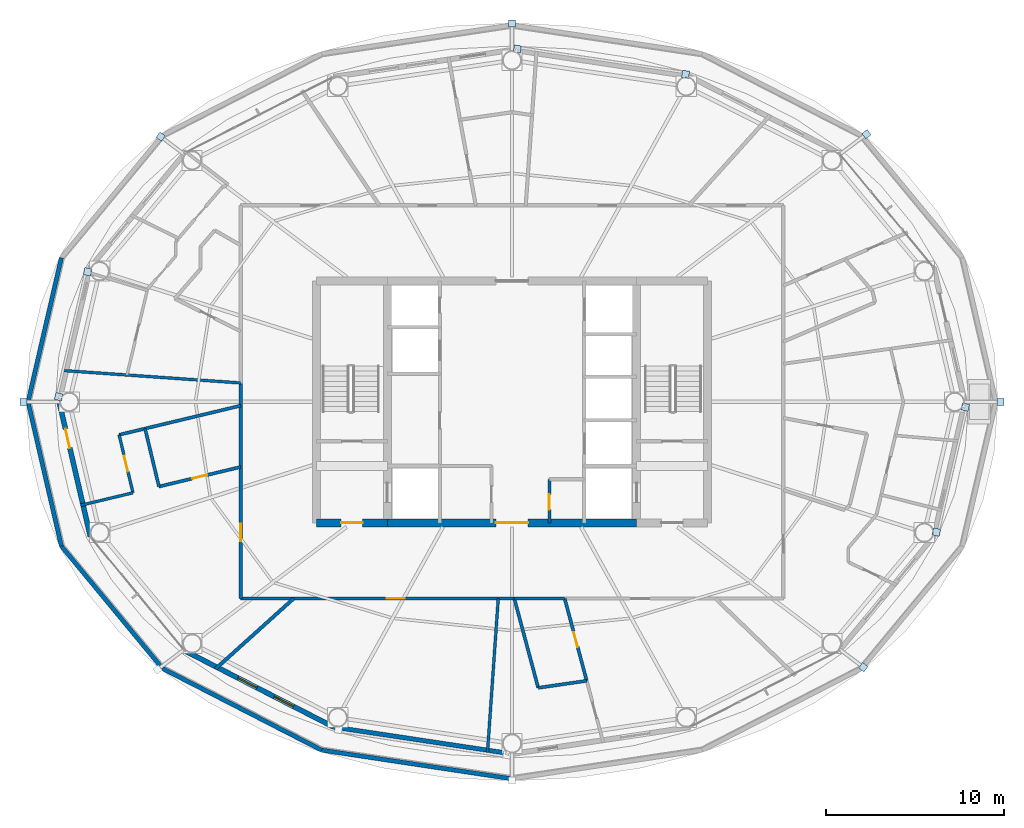
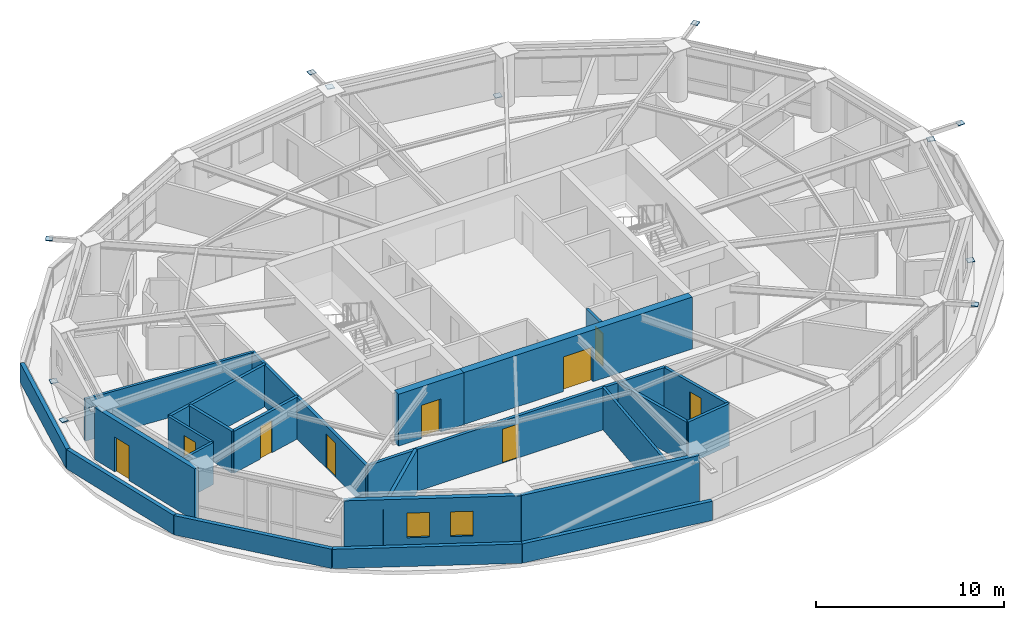
# One storey, part 15 of 22: 25 walls, 12 plates, 9 doors, 2 windows, 11 openings.
"""IFC4 building model written with IfcOpenShell, lengths in metres."""

from ifc_helpers import new_model, si_unit, direction, frame, frame_2d, origin, origin_2d, place, context, subcontext, project, spatial, rectangle, extrude, material, layer, layer_set, type_object, element, fill, save


model = new_model("IFC4")

# Units and contexts
model_context = context("Model", 3, precision=1e-05, world=origin(), true_north=direction((0.0, 1.0)))
body_context = subcontext(model_context, "Body", "Model", "MODEL_VIEW")
ifc_project = project(units=[si_unit("LENGTHUNIT", "METRE"), si_unit("AREAUNIT", "SQUARE_METRE"), si_unit("VOLUMEUNIT", "CUBIC_METRE"), si_unit("PLANEANGLEUNIT", "RADIAN"), si_unit("MASSUNIT", "GRAM", prefix="KILO")], contexts=[model_context])

# Site, building, storey
site_placement = place(None, origin())
site = spatial("IfcSite", under=ifc_project, at=site_placement, CompositionType="ELEMENT")
building_placement = place(site_placement, origin())
building = spatial("IfcBuilding", under=site, at=building_placement, Name="Sarneth Arch Tower", CompositionType="ELEMENT")
storey_placement = place(building_placement, frame((0.0, 0.0, 206.39990234375)))
storey = spatial("IfcBuildingStorey", under=building, at=storey_placement, Name="L52", CompositionType="ELEMENT", Elevation=206.39990234375)

# Plates
ifc_material_1 = material(Name="Steel S355", Category="steel")
ifc_layer_1 = layer(ifc_material_1, 0.035888671875)
ifc_layer_set_1 = layer_set([ifc_layer_1], Name="Steel S355")
plate_type = type_object("IfcPlateType", Name="PLT-GUSSET-30", PredefinedType="SHEET", material=ifc_layer_set_1)
for number, where, z_axis, x_axis, name in (
    (1, (75.45947265625, 42.0, 3.18212890625), (0.0, 0.0, 1.0), (1.0, 0.0, 0.0), "Steel end cap plate GP-1"),
    (2, (67.919677734375, 57.045166015625, 3.18212890625), (0.0, 0.0, 1.0), (0.798004853043, 0.602651022168, 0.0), "Steel end cap plate GP-1"),
):
    element("IfcPlate", number, at=place(storey_placement, frame(where, z_axis=z_axis, x_axis=x_axis)), inside=storey, type_object=plate_type, Name=name, PredefinedType="SHEET", context=body_context, shape_type="SweptSolid", body=[
        extrude(rectangle(XDim=0.3798828125, YDim=0.3798828125, at=origin_2d()), origin(), (0.0, 0.0, 1.0), 0.035888671875),
    ])
for number, where, z_axis, x_axis, name in (
    (3, (57.754150390625, 60.411376953125, 0.001953125), (0.0, 0.0, 1.0), (-0.988860535448, 0.148845024885, 0.0), "Steel end cap plate GP-1"),
    (4, (48.296630859375, 61.83544921875, 3.0185546875), (0.0, 0.0, 1.0), (-0.988860535448, 0.148845024885, 0.0), "Steel end cap plate GP-1"),
):
    element("IfcPlate", number, at=place(storey_placement, frame(where, z_axis=z_axis, x_axis=x_axis)), inside=storey, type_object=plate_type, Name=name, PredefinedType="SHEET", context=body_context, shape_type="SweptSolid", body=[
        extrude(rectangle(XDim=0.404052734375, YDim=0.404052734375, at=origin_2d()), origin(), (0.0, 0.0, 1.0), 0.035888671875),
    ])
for number, where, z_axis, x_axis, name in (
    (5, (48.0, 63.273681640625, 3.18212890625), (0.0, 0.0, 1.0), (0.0, 1.0, 0.0), "Steel end cap plate GP-1"),
    (6, (28.2587890625, 56.910400390625, 3.18212890625), (0.0, 0.0, 1.0), (-0.798004853043, 0.602651022168, 0.0), "Steel end cap plate GP-1"),
):
    element("IfcPlate", number, at=place(storey_placement, frame(where, z_axis=z_axis, x_axis=x_axis)), inside=storey, type_object=plate_type, Name=name, PredefinedType="SHEET", context=body_context, shape_type="SweptSolid", body=[
        extrude(rectangle(XDim=0.3798828125, YDim=0.3798828125, at=origin_2d()), origin(), (0.0, 0.0, 1.0), 0.035888671875),
    ])
for number, where, z_axis, x_axis, name in (
    (7, (24.148193359375, 49.3154296875, 0.001953125), (0.0, 0.0, 1.0), (-0.225461202458, -0.974252147129, 0.0), "Steel end cap plate GP-1"),
    (8, (22.5234375, 42.292236328125, 3.0185546875), (0.0, 0.0, 1.0), (-0.225461202458, -0.974252147129, 0.0), "Steel end cap plate GP-1"),
):
    element("IfcPlate", number, at=place(storey_placement, frame(where, z_axis=z_axis, x_axis=x_axis)), inside=storey, type_object=plate_type, Name=name, PredefinedType="SHEET", context=body_context, shape_type="SweptSolid", body=[
        extrude(rectangle(XDim=0.404052734375, YDim=0.404052734375, at=origin_2d()), origin(), (0.0, 0.0, 1.0), 0.035888671875),
    ])
for number, where, z_axis, x_axis, name in (
    (9, (20.54052734375, 42.0, 3.18212890625), (0.0, 0.0, 1.0), (-1.0, 0.0, 0.0), "Steel end cap plate GP-1"),
    (10, (67.7412109375, 27.089599609375, 3.18212890625), (0.0, 0.0, 1.0), (0.798004853043, -0.602651022168, 0.0), "Steel end cap plate GP-1"),
):
    element("IfcPlate", number, at=place(storey_placement, frame(where, z_axis=z_axis, x_axis=x_axis)), inside=storey, type_object=plate_type, Name=name, PredefinedType="SHEET", context=body_context, shape_type="SweptSolid", body=[
        extrude(rectangle(XDim=0.3798828125, YDim=0.3798828125, at=origin_2d()), origin(), (0.0, 0.0, 1.0), 0.035888671875),
    ])
for number, where, z_axis, x_axis, name in (
    (11, (71.851806640625, 34.6845703125, 0.001953125), (0.0, 0.0, 1.0), (0.225461202458, 0.974252147129, 0.0), "Steel end cap plate GP-1"),
    (12, (73.4765625, 41.707763671875, 3.0185546875), (0.0, 0.0, 1.0), (0.225461202458, 0.974252147129, 0.0), "Steel end cap plate GP-1"),
):
    element("IfcPlate", number, at=place(storey_placement, frame(where, z_axis=z_axis, x_axis=x_axis)), inside=storey, type_object=plate_type, Name=name, PredefinedType="SHEET", context=body_context, shape_type="SweptSolid", body=[
        extrude(rectangle(XDim=0.404052734375, YDim=0.404052734375, at=origin_2d()), origin(), (0.0, 0.0, 1.0), 0.035888671875),
    ])

# Wall, opening, door
ifc_material_2 = material(Name="Concrete C50/60", Category="concrete")
ifc_layer_2 = layer(ifc_material_2, 0.449951171875)
ifc_layer_set_2 = layer_set([ifc_layer_2], Name="Concrete C50/60")
wall_type_1 = type_object("IfcWallType", Name="WALL-CORE-450", PredefinedType="SHEAR", material=ifc_layer_set_2)
wall_1_placement = place(storey_placement, frame((37.0, 35.199951171875, 0.0), z_axis=(0.0, 0.0, 1.0), x_axis=(1.0, 0.0, 0.0)))
wall_1 = element("IfcWall", 13, at=wall_1_placement, inside=storey, type_object=wall_type_1, Name="L52 Core shear wall S-W", PredefinedType="SHEAR", context=body_context, shape_type="SweptSolid", body=[
    extrude(rectangle(XDim=4.0, YDim=0.449951171875, at=frame_2d((2.0, 0.0))), origin(), (0.0, 0.0, 1.0), 3.360107421875),
])
opening_1_placement = place(wall_1_placement, frame((1.39990234375, 0.0, 0.0)))
opening_1 = element("IfcOpeningElement", 14, at=opening_1_placement, cuts=wall_1, Name="Opening FD-02", PredefinedType="OPENING", context=body_context, shape_type="SweptSolid", body=[
    extrude(rectangle(XDim=1.199951171875, YDim=2.14990234375, at=frame_2d((0.60009765625, 1.074951171875))), frame((0.0, 0.23486328125, 0.0), z_axis=(0.0, -1.0, 0.0), x_axis=(1.0, 0.0, 0.0)), (0.0, 0.0, 1.0), 0.469970703125),
])
ifc_material_3 = material(Name="Galvanised Steel S275 fire door set", Category="steel")
door_type_1 = type_object("IfcDoorType", Name="DR-FD90-1200", OperationType="SINGLE_SWING_LEFT", PredefinedType="DOOR", material=ifc_material_3)
door_1_placement = place(opening_1_placement, origin())
door_1 = element("IfcDoor", 15, at=door_1_placement, inside=storey, type_object=door_type_1, Name="L52 Firefighting lobby 1 exit door", OperationType="SINGLE_SWING_LEFT", OverallHeight=2.14990234375, OverallWidth=1.199951171875, PredefinedType="DOOR", context=body_context, shape_type="SweptSolid", body=[
    extrude(rectangle(XDim=1.199951171875, YDim=2.14990234375, at=frame_2d((0.60009765625, 1.074951171875))), frame((0.0, 0.02490234375, 0.0), z_axis=(0.0, -1.0, 0.0), x_axis=(1.0, 0.0, 0.0)), (0.0, 0.0, 1.0), 0.050048828125),
])
fill(opening_1, door_1)

wall_2_placement = place(storey_placement, frame((41.0, 35.199951171875, 0.0), z_axis=(0.0, 0.0, 1.0), x_axis=(1.0, 0.0, 0.0)))
wall_2 = element("IfcWall", 16, at=wall_2_placement, inside=storey, type_object=wall_type_1, Name="L52 Core shear wall S-M", PredefinedType="SHEAR", context=body_context, shape_type="SweptSolid", body=[
    extrude(rectangle(XDim=14.0, YDim=0.449951171875, at=frame_2d((7.0, 0.0))), origin(), (0.0, 0.0, 1.0), 3.360107421875),
])
opening_2_placement = place(wall_2_placement, frame((6.10009765625, 0.0, 0.0)))
opening_2 = element("IfcOpeningElement", 17, at=opening_2_placement, cuts=wall_2, Name="Opening FD-01", PredefinedType="OPENING", context=body_context, shape_type="SweptSolid", body=[
    extrude(rectangle(XDim=1.800048828125, YDim=2.25, at=frame_2d((0.89990234375, 1.125))), frame((0.0, 0.23486328125, 0.0), z_axis=(0.0, -1.0, 0.0), x_axis=(1.0, 0.0, 0.0)), (0.0, 0.0, 1.0), 0.469970703125),
])
ifc_material_4 = material(Name="Galvanised Steel S275 fire door set", Category="steel")
door_type_2 = type_object("IfcDoorType", Name="DR-FD90-1800", OperationType="DOUBLE_DOOR_SINGLE_SWING", PredefinedType="DOOR", material=ifc_material_4)
door_2_placement = place(opening_2_placement, origin())
door_2 = element("IfcDoor", 18, at=door_2_placement, inside=storey, type_object=door_type_2, Name="L52 Central lift lobby south door", OperationType="DOUBLE_DOOR_SINGLE_SWING", OverallHeight=2.25, OverallWidth=1.800048828125, PredefinedType="DOOR", context=body_context, shape_type="SweptSolid", body=[
    extrude(rectangle(XDim=1.800048828125, YDim=2.25, at=frame_2d((0.89990234375, 1.125))), frame((0.0, 0.02490234375, 0.0), z_axis=(0.0, -1.0, 0.0), x_axis=(1.0, 0.0, 0.0)), (0.0, 0.0, 1.0), 0.050048828125),
])
fill(opening_2, door_2)

ifc_material_5 = material(Name="Double steel-stud corridor fire wall", Category="steel")
ifc_layer_3 = layer(ifc_material_5, 0.18994140625)
ifc_layer_set_3 = layer_set([ifc_layer_3], Name="Double steel-stud corridor fire wall")
wall_type_2 = type_object("IfcWallType", Name="WALL-CORR-190", PredefinedType="PARTITIONING", material=ifc_layer_set_3)
wall_3_placement = place(storey_placement, frame((48.162353515625, 30.949951171875, 0.0), z_axis=(0.0, 0.0, 1.0), x_axis=(-1.0, 0.0, 0.0)))
wall_3 = element("IfcWall", 19, at=wall_3_placement, inside=storey, type_object=wall_type_2, Name="L52 Interior partition W-L52-TP-016", PredefinedType="PARTITIONING", context=body_context, shape_type="SweptSolid", body=[
    extrude(rectangle(XDim=15.412353515625, YDim=0.18994140625, at=frame_2d((7.7060546875, 0.0))), origin(), (0.0, 0.0, 1.0), 2.72021484375),
])
opening_3_placement = place(wall_3_placement, frame((6.192626953125, 0.0, 0.0)))
opening_3 = element("IfcOpeningElement", 20, at=opening_3_placement, cuts=wall_3, Name="Opening FD-08", PredefinedType="OPENING", context=body_context, shape_type="SweptSolid", body=[
    extrude(rectangle(XDim=1.0, YDim=2.199951171875, at=frame_2d((0.5, 1.10009765625))), frame((0.0, 0.10498046875, 0.0), z_axis=(0.0, -1.0, 0.0), x_axis=(1.0, 0.0, 0.0)), (0.0, 0.0, 1.0), 0.2099609375),
])
ifc_material_6 = material(Name="Hardwood timber acoustic fire door", Category="wood")
door_type_3 = type_object("IfcDoorType", Name="DR-FD60-1000", OperationType="SINGLE_SWING_LEFT", PredefinedType="DOOR", material=ifc_material_6)
door_3_placement = place(opening_3_placement, origin())
door_3 = element("IfcDoor", 21, at=door_3_placement, inside=storey, type_object=door_type_3, Name="L52 Interior door DR-L52-RAMN-06", OperationType="SINGLE_SWING_RIGHT", OverallHeight=2.199951171875, OverallWidth=1.0, PredefinedType="DOOR", context=body_context, shape_type="SweptSolid", body=[
    extrude(rectangle(XDim=1.0, YDim=2.199951171875, at=frame_2d((0.5, 1.10009765625))), frame((0.0, 0.02490234375, 0.0), z_axis=(0.0, -1.0, 0.0), x_axis=(1.0, 0.0, 0.0)), (0.0, 0.0, 1.0), 0.050048828125),
])
fill(opening_3, door_3)

wall_4_placement = place(storey_placement, frame((32.75, 30.949951171875, 0.0), z_axis=(0.0, 0.0, 1.0), x_axis=(0.0, 1.0, 0.0)))
wall_4 = element("IfcWall", 22, at=wall_4_placement, inside=storey, type_object=wall_type_2, Name="L52 Interior partition W-L52-TP-013", PredefinedType="PARTITIONING", context=body_context, shape_type="SweptSolid", body=[
    extrude(rectangle(XDim=12.1484375, YDim=0.18994140625, at=frame_2d((6.07421875, 0.0))), origin(), (0.0, 0.0, 1.0), 2.72021484375),
])
opening_4_placement = place(wall_4_placement, frame((3.213623046875, 0.0, 0.0)))
opening_4 = element("IfcOpeningElement", 23, at=opening_4_placement, cuts=wall_4, Name="Opening FD-08", PredefinedType="OPENING", context=body_context, shape_type="SweptSolid", body=[
    extrude(rectangle(XDim=1.0, YDim=2.199951171875, at=frame_2d((0.5, 1.10009765625))), frame((0.0, 0.10498046875, 0.0), z_axis=(0.0, -1.0, 0.0), x_axis=(1.0, 0.0, 0.0)), (0.0, 0.0, 1.0), 0.2099609375),
])
door_4_placement = place(opening_4_placement, origin())
door_4 = element("IfcDoor", 24, at=door_4_placement, inside=storey, type_object=door_type_3, Name="L52 Interior door DR-L52-U5-ENT", OperationType="SINGLE_SWING_RIGHT", OverallHeight=2.199951171875, OverallWidth=1.0, PredefinedType="DOOR", context=body_context, shape_type="SweptSolid", body=[
    extrude(rectangle(XDim=1.0, YDim=2.199951171875, at=frame_2d((0.5, 1.10009765625))), frame((0.0, 0.02490234375, 0.0), z_axis=(0.0, -1.0, 0.0), x_axis=(1.0, 0.0, 0.0)), (0.0, 0.0, 1.0), 0.050048828125),
])
fill(opening_4, door_4)

# Wall
ifc_material_7 = material(Name="Extruded terracotta rainscreen on Concrete C40/50 backing", Category="masonry")
ifc_layer_4 = layer(ifc_material_7, 0.25)
ifc_layer_set_4 = layer_set([ifc_layer_4], Name="Extruded terracotta rainscreen on Concrete C40/50 backing")
wall_type_3 = type_object("IfcWallType", Name="WALL-EXT-SPAND-250", PredefinedType="SOLIDWALL", material=ifc_layer_set_4)
wall_5_placement = place(storey_placement, frame((37.9873046875, 23.7255859375, 0.0), z_axis=(0.0, 0.0, 1.0), x_axis=(0.988882522213, -0.148698881169, 0.0)))
element("IfcWall", 25, at=wall_5_placement, inside=storey, type_object=wall_type_3, Name="L52 Terracotta perimeter wall 12", PredefinedType="SOLIDWALL", context=body_context, shape_type="SweptSolid", body=[
    extrude(rectangle(XDim=10.125244140625, YDim=0.25, at=frame_2d((5.0625, 0.0))), origin(), (0.0, 0.0, 1.0), 3.360107421875),
])

# Wall, opening, door
ifc_material_8 = material(Name="Extruded terracotta rainscreen on Concrete C40/50 backing", Category="masonry")
ifc_layer_5 = layer(ifc_material_8, 0.280029296875)
ifc_layer_set_5 = layer_set([ifc_layer_5], Name="Extruded terracotta rainscreen on Concrete C40/50 backing")
wall_type_4 = type_object("IfcWallType", Name="WALL-EXT-TERRA-280", PredefinedType="SOLIDWALL", material=ifc_layer_set_5)
wall_6_placement = place(storey_placement, frame((22.552978515625, 42.0, 0.0), z_axis=(0.0, 0.0, 1.0), x_axis=(0.225635078214, -0.974211892495, 0.0)))
wall_6 = element("IfcWall", 26, at=wall_6_placement, inside=storey, type_object=wall_type_4, Name="L52 Terracotta perimeter wall 09", PredefinedType="SOLIDWALL", context=body_context, shape_type="SweptSolid", body=[
    extrude(rectangle(XDim=7.77001953125, YDim=0.280029296875, at=frame_2d((3.885009765625, 0.0))), origin(), (0.0, 0.0, 1.0), 3.360107421875),
])
opening_5_placement = place(wall_6_placement, frame((1.55712890625, 0.0, 0.0)))
opening_5 = element("IfcOpeningElement", 27, at=opening_5_placement, cuts=wall_6, Name="Opening BD-3", PredefinedType="OPENING", context=body_context, shape_type="SweptSolid", body=[
    extrude(rectangle(XDim=1.10009765625, YDim=2.25, at=frame_2d((0.550048828125, 1.125))), frame((0.0, 0.14990234375, 0.0), z_axis=(0.0, -1.0, 0.0), x_axis=(1.0, 0.0, 0.0)), (0.0, 0.0, 1.0), 0.300048828125),
])
ifc_material_9 = material(Name="Thermally broken Aluminium 6063-T6 and laminated safety glass", Category="aluminium")
door_type_4 = type_object("IfcDoorType", Name="DR-BALC-GLZ-1100", OperationType="SINGLE_SWING_LEFT", PredefinedType="DOOR", material=ifc_material_9)
door_5_placement = place(opening_5_placement, origin())
door_5 = element("IfcDoor", 28, at=door_5_placement, inside=storey, type_object=door_type_4, Name="L52 Maintenance roof access door 09", OperationType="SINGLE_SWING_LEFT", OverallHeight=2.25, OverallWidth=1.10009765625, PredefinedType="DOOR", context=body_context, shape_type="SweptSolid", body=[
    extrude(rectangle(XDim=1.10009765625, YDim=2.25, at=frame_2d((0.550048828125, 1.125))), frame((0.0, 0.02490234375, 0.0), z_axis=(0.0, -1.0, 0.0), x_axis=(1.0, 0.0, 0.0)), (0.0, 0.0, 1.0), 0.050048828125),
])
fill(opening_5, door_5)

# Wall, openings, windows
wall_7_placement = place(storey_placement, frame((29.617431640625, 28.013427734375, 0.0), z_axis=(0.0, 0.0, 1.0), x_axis=(0.890007394051, -0.455946091699, 0.0)))
wall_7 = element("IfcWall", 29, at=wall_7_placement, inside=storey, type_object=wall_type_4, Name="L52 Terracotta perimeter wall 11", PredefinedType="SOLIDWALL", context=body_context, shape_type="SweptSolid", body=[
    extrude(rectangle(XDim=9.404296875, YDim=0.280029296875, at=frame_2d((4.7021484375, 0.0))), origin(), (0.0, 0.0, 1.0), 3.360107421875),
])
opening_6_placement = place(wall_7_placement, frame((3.3505859375, 0.0, 0.85009765625)))
opening_6 = element("IfcOpeningElement", 30, at=opening_6_placement, cuts=wall_7, Name="Opening W-10", PredefinedType="OPENING", context=body_context, shape_type="SweptSolid", body=[
    extrude(rectangle(XDim=1.199951171875, YDim=1.60009765625, at=frame_2d((0.60009765625, 0.800048828125))), frame((0.0, 0.14990234375, 0.0), z_axis=(0.0, -1.0, 0.0), x_axis=(1.0, 0.0, 0.0)), (0.0, 0.0, 1.0), 0.300048828125),
])
opening_7_placement = place(wall_7_placement, frame((5.654052734375, 0.0, 0.85009765625)))
opening_7 = element("IfcOpeningElement", 31, at=opening_7_placement, cuts=wall_7, Name="Opening W-10", PredefinedType="OPENING", context=body_context, shape_type="SweptSolid", body=[
    extrude(rectangle(XDim=1.199951171875, YDim=1.60009765625, at=frame_2d((0.60009765625, 0.800048828125))), frame((0.0, 0.14990234375, 0.0), z_axis=(0.0, -1.0, 0.0), x_axis=(1.0, 0.0, 0.0)), (0.0, 0.0, 1.0), 0.300048828125),
])
ifc_material_10 = material(Name="Thermally broken Aluminium 6063-T6 and low-e laminated IGU", Category="aluminium")
window_type = type_object("IfcWindowType", Name="WIN-TWR-1200x1600", PartitioningType="SINGLE_PANEL", PredefinedType="WINDOW", material=ifc_material_10)
window_1_placement = place(opening_6_placement, origin())
window_1 = element("IfcWindow", 32, at=window_1_placement, inside=storey, type_object=window_type, Name="L52 Exterior window 11A", OverallHeight=1.60009765625, OverallWidth=1.199951171875, PartitioningType="SINGLE_PANEL", PredefinedType="WINDOW", context=body_context, shape_type="SweptSolid", body=[
    extrude(rectangle(XDim=1.199951171875, YDim=1.60009765625, at=frame_2d((0.60009765625, 0.800048828125))), frame((0.0, 0.030029296875, 0.0), z_axis=(0.0, -1.0, 0.0), x_axis=(1.0, 0.0, 0.0)), (0.0, 0.0, 1.0), 0.06005859375),
])
fill(opening_6, window_1)
window_2_placement = place(opening_7_placement, origin())
window_2 = element("IfcWindow", 33, at=window_2_placement, inside=storey, type_object=window_type, Name="L52 Exterior window 11B", OverallHeight=1.60009765625, OverallWidth=1.199951171875, PartitioningType="SINGLE_PANEL", PredefinedType="WINDOW", context=body_context, shape_type="SweptSolid", body=[
    extrude(rectangle(XDim=1.199951171875, YDim=1.60009765625, at=frame_2d((0.60009765625, 0.800048828125))), frame((0.0, 0.030029296875, 0.0), z_axis=(0.0, -1.0, 0.0), x_axis=(1.0, 0.0, 0.0)), (0.0, 0.0, 1.0), 0.06005859375),
])
fill(opening_7, window_2)

# Walls
ifc_material_11 = material(Name="Extruded terracotta rainscreen on Concrete C40/50 backing", Category="masonry")
ifc_layer_6 = layer(ifc_material_11, 0.239990234375)
ifc_layer_set_6 = layer_set([ifc_layer_6], Name="Extruded terracotta rainscreen on Concrete C40/50 backing")
wall_type_5 = type_object("IfcWallType", Name="WALL-PARAPET-240", PredefinedType="PARAPET", material=ifc_layer_set_6)
for number, where, z_axis, x_axis, name in (
    (34, (22.67724609375, 50.105224609375, 0.0), (0.0, 0.0, 1.0), (-0.225241005172, -0.974303078918, 0.0), "L52 Setback roof parapet 08"),
    (35, (20.803466796875, 42.0, 0.0), (0.0, 0.0, 1.0), (0.225241005172, -0.974303078918, 0.0), "L52 Setback roof parapet 09"),
):
    element("IfcWall", number, at=place(storey_placement, frame(where, z_axis=z_axis, x_axis=x_axis)), inside=storey, type_object=wall_type_5, Name=name, PredefinedType="PARAPET", context=body_context, shape_type="SweptSolid", body=[
        extrude(rectangle(XDim=8.319091796875, YDim=0.239990234375, at=frame_2d((4.15966796875, 0.0))), origin(), (0.0, 0.0, 1.0), 1.25),
    ])
wall_8_placement = place(storey_placement, frame((22.67724609375, 33.894775390625, 0.0), z_axis=(0.0, 0.0, 1.0), x_axis=(0.636894188862, -0.770951225561, 0.0)))
element("IfcWall", 36, at=wall_8_placement, inside=storey, type_object=wall_type_5, Name="L52 Setback roof parapet 10", PredefinedType="PARAPET", context=body_context, shape_type="SweptSolid", body=[
    extrude(rectangle(XDim=8.912841796875, YDim=0.239990234375, at=frame_2d((4.45654296875, 0.0))), origin(), (0.0, 0.0, 1.0), 1.25),
])
wall_9_placement = place(storey_placement, frame((28.353759765625, 27.0234375, 0.0), z_axis=(0.0, 0.0, 1.0), x_axis=(0.889652072391, -0.456639015077, 0.0)))
element("IfcWall", 37, at=wall_9_placement, inside=storey, type_object=wall_type_5, Name="L52 Setback roof parapet 11", PredefinedType="PARAPET", context=body_context, shape_type="SweptSolid", body=[
    extrude(rectangle(XDim=10.0546875, YDim=0.239990234375, at=frame_2d((5.02734375, 0.0))), origin(), (0.0, 0.0, 1.0), 1.25),
])
wall_10_placement = place(storey_placement, frame((37.298828125, 22.43212890625, 0.0), z_axis=(0.0, 0.0, 1.0), x_axis=(0.988842828913, -0.148962611775, 0.0)))
element("IfcWall", 38, at=wall_10_placement, inside=storey, type_object=wall_type_5, Name="L52 Setback roof parapet 12", PredefinedType="PARAPET", context=body_context, shape_type="SweptSolid", body=[
    extrude(rectangle(XDim=10.822021484375, YDim=0.239990234375, at=frame_2d((5.4111328125, 0.0))), origin(), (0.0, 0.0, 1.0), 1.25),
])
ifc_material_12 = material(Name="Kitchen wet service chase wall", Category="gypsum")
ifc_layer_7 = layer(ifc_material_12, 0.159912109375)
ifc_layer_set_7 = layer_set([ifc_layer_7], Name="Kitchen wet service chase wall")
wall_type_6 = type_object("IfcWallType", Name="WALL-PLUMB-160", PredefinedType="PLUMBINGWALL", material=ifc_layer_set_7)
wall_11_placement = place(storey_placement, frame((47.227294921875, 30.949951171875, 0.0), z_axis=(0.0, 0.0, 1.0), x_axis=(-0.069763237321, -0.997563577281, 0.0)))
element("IfcWall", 39, at=wall_11_placement, inside=storey, type_object=wall_type_6, Name="L52 Interior partition W-L52-TP-062", PredefinedType="PLUMBINGWALL", context=body_context, shape_type="SweptSolid", body=[
    extrude(rectangle(XDim=8.664794921875, YDim=0.159912109375, at=frame_2d((4.33251953125, 0.0))), origin(), (0.0, 0.0, 1.0), 2.72021484375),
])
wall_12_placement = place(storey_placement, frame((22.8388671875, 43.759521484375, 0.0), z_axis=(0.0, 0.0, 1.0), x_axis=(0.997563620801, -0.069762615023, 0.0)))
element("IfcWall", 40, at=wall_12_placement, inside=storey, type_object=wall_type_6, Name="L52 Interior partition W-L52-TP-051", PredefinedType="PLUMBINGWALL", context=body_context, shape_type="SweptSolid", body=[
    extrude(rectangle(XDim=9.935302734375, YDim=0.159912109375, at=frame_2d((4.9677734375, 0.0))), origin(), (0.0, 0.0, 1.0), 2.72021484375),
])

# Wall, opening, door
wall_13_placement = place(storey_placement, frame((25.919921875, 40.15185546875, 0.0), z_axis=(0.0, 0.0, 1.0), x_axis=(0.233075240748, -0.972458704599, 0.0)))
wall_13 = element("IfcWall", 41, at=wall_13_placement, inside=storey, type_object=wall_type_6, Name="L52 Interior partition W-L52-TP-058", PredefinedType="PLUMBINGWALL", context=body_context, shape_type="SweptSolid", body=[
    extrude(rectangle(XDim=3.349853515625, YDim=0.159912109375, at=frame_2d((1.6748046875, 0.0))), origin(), (0.0, 0.0, 1.0), 2.72021484375),
])
opening_8_placement = place(wall_13_placement, frame((1.224853515625, 0.0, 0.0)))
opening_8 = element("IfcOpeningElement", 42, at=opening_8_placement, cuts=wall_13, Name="Opening ID-01", PredefinedType="OPENING", context=body_context, shape_type="SweptSolid", body=[
    extrude(rectangle(XDim=0.89990234375, YDim=2.10009765625, at=frame_2d((0.449951171875, 1.050048828125))), frame((0.0, 0.08984375, 0.0), z_axis=(0.0, -1.0, 0.0), x_axis=(1.0, 0.0, 0.0)), (0.0, 0.0, 1.0), 0.179931640625),
])
ifc_material_13 = material(Name="Engineered hardwood flush door", Category="wood")
door_type_5 = type_object("IfcDoorType", Name="DR-INT-900", OperationType="SINGLE_SWING_LEFT", PredefinedType="DOOR", material=ifc_material_13)
door_6_placement = place(opening_8_placement, origin())
door_6 = element("IfcDoor", 43, at=door_6_placement, inside=storey, type_object=door_type_5, Name="L52 Interior door DR-L52-U5-KIT", OperationType="SINGLE_SWING_LEFT", OverallHeight=2.10009765625, OverallWidth=0.89990234375, PredefinedType="DOOR", context=body_context, shape_type="SweptSolid", body=[
    extrude(rectangle(XDim=0.89990234375, YDim=2.10009765625, at=frame_2d((0.449951171875, 1.050048828125))), frame((0.0, 0.02490234375, 0.0), z_axis=(0.0, -1.0, 0.0), x_axis=(1.0, 0.0, 0.0)), (0.0, 0.0, 1.0), 0.050048828125),
])
fill(opening_8, door_6)

# Wall
wall_14_placement = place(storey_placement, frame((26.70068359375, 36.894287109375, 0.0), z_axis=(0.0, 0.0, 1.0), x_axis=(-0.972463854185, -0.233053754107, 0.0)))
element("IfcWall", 44, at=wall_14_placement, inside=storey, type_object=wall_type_6, Name="L52 Interior partition W-L52-TP-059", PredefinedType="PLUMBINGWALL", context=body_context, shape_type="SweptSolid", body=[
    extrude(rectangle(XDim=3.008544921875, YDim=0.159912109375, at=frame_2d((1.50439453125, 0.0))), origin(), (0.0, 0.0, 1.0), 2.72021484375),
])

# Wall, opening, door
ifc_material_14 = material(Name="Moisture-resistant plumbing chase wall", Category="gypsum")
ifc_layer_8 = layer(ifc_material_14, 0.179931640625)
ifc_layer_set_8 = layer_set([ifc_layer_8], Name="Moisture-resistant plumbing chase wall")
wall_type_7 = type_object("IfcWallType", Name="WALL-PLUMB-180", PredefinedType="PLUMBINGWALL", material=ifc_layer_set_8)
wall_15_placement = place(storey_placement, frame((50.10009765625, 35.199951171875, 0.0), z_axis=(0.0, 0.0, 1.0), x_axis=(0.0, 1.0, 0.0)))
wall_15 = element("IfcWall", 45, at=wall_15_placement, inside=storey, type_object=wall_type_7, Name="L52 Interior partition W-L52-AWC-W", PredefinedType="PLUMBINGWALL", context=body_context, shape_type="SweptSolid", body=[
    extrude(rectangle(XDim=2.449951171875, YDim=0.179931640625, at=frame_2d((1.22509765625, 0.0))), origin(), (0.0, 0.0, 1.0), 2.72021484375),
])
opening_9_placement = place(wall_15_placement, frame((0.75, 0.0, 0.0)))
opening_9 = element("IfcOpeningElement", 46, at=opening_9_placement, cuts=wall_15, Name="Opening ID-02", PredefinedType="OPENING", context=body_context, shape_type="SweptSolid", body=[
    extrude(rectangle(XDim=0.85009765625, YDim=2.10009765625, at=frame_2d((0.425048828125, 1.050048828125))), frame((0.0, 0.099853515625, 0.0), z_axis=(0.0, -1.0, 0.0), x_axis=(1.0, 0.0, 0.0)), (0.0, 0.0, 1.0), 0.199951171875),
])
ifc_material_15 = material(Name="Moisture-resistant bathroom timber door", Category="wood")
door_type_6 = type_object("IfcDoorType", Name="DR-INT-850", OperationType="SINGLE_SWING_RIGHT", PredefinedType="DOOR", material=ifc_material_15)
door_7_placement = place(opening_9_placement, origin())
door_7 = element("IfcDoor", 47, at=door_7_placement, inside=storey, type_object=door_type_6, Name="L52 Interior door DR-L52-AWC", OperationType="SINGLE_SWING_RIGHT", OverallHeight=2.10009765625, OverallWidth=0.85009765625, PredefinedType="DOOR", context=body_context, shape_type="SweptSolid", body=[
    extrude(rectangle(XDim=0.85009765625, YDim=2.10009765625, at=frame_2d((0.425048828125, 1.050048828125))), frame((0.0, 0.02490234375, 0.0), z_axis=(0.0, -1.0, 0.0), x_axis=(1.0, 0.0, 0.0)), (0.0, 0.0, 1.0), 0.050048828125),
])
fill(opening_9, door_7)

# Walls
wall_16_placement = place(storey_placement, frame((32.75, 41.7890625, 0.0), z_axis=(0.0, 0.0, 1.0), x_axis=(-0.97245226222, -0.233102118618, 0.0)))
element("IfcWall", 48, at=wall_16_placement, inside=storey, type_object=wall_type_7, Name="L52 Interior partition W-L52-TP-061", PredefinedType="PLUMBINGWALL", context=body_context, shape_type="SweptSolid", body=[
    extrude(rectangle(XDim=7.023681640625, YDim=0.179931640625, at=frame_2d((3.51171875, 0.0))), origin(), (0.0, 0.0, 1.0), 2.72021484375),
])
wall_17_placement = place(storey_placement, frame((49.473388671875, 25.933349609375, 0.0), z_axis=(0.0, 0.0, 1.0), x_axis=(-0.258826939486, 0.965923710961, 0.0)))
element("IfcWall", 49, at=wall_17_placement, inside=storey, type_object=wall_type_7, Name="L52 Interior partition W-L52-TP-067", PredefinedType="PLUMBINGWALL", context=body_context, shape_type="SweptSolid", body=[
    extrude(rectangle(XDim=5.193603515625, YDim=0.179931640625, at=frame_2d((2.5966796875, 0.0))), origin(), (0.0, 0.0, 1.0), 2.72021484375),
])

# Wall, opening, door
wall_18_placement = place(storey_placement, frame((50.960693359375, 30.949951171875, 0.0), z_axis=(0.0, 0.0, 1.0), x_axis=(0.258827893949, -0.965923455204, 0.0)))
wall_18 = element("IfcWall", 50, at=wall_18_placement, inside=storey, type_object=wall_type_7, Name="L52 Interior partition W-L52-TP-063", PredefinedType="PLUMBINGWALL", context=body_context, shape_type="SweptSolid", body=[
    extrude(rectangle(XDim=4.78515625, YDim=0.179931640625, at=frame_2d((2.392578125, 0.0))), origin(), (0.0, 0.0, 1.0), 2.72021484375),
])
opening_10_placement = place(wall_18_placement, frame((1.967529296875, 0.0, 0.0)))
opening_10 = element("IfcOpeningElement", 51, at=opening_10_placement, cuts=wall_18, Name="Opening ID-02", PredefinedType="OPENING", context=body_context, shape_type="SweptSolid", body=[
    extrude(rectangle(XDim=0.85009765625, YDim=2.10009765625, at=frame_2d((0.425048828125, 1.050048828125))), frame((0.0, 0.099853515625, 0.0), z_axis=(0.0, -1.0, 0.0), x_axis=(1.0, 0.0, 0.0)), (0.0, 0.0, 1.0), 0.199951171875),
])
door_8_placement = place(opening_10_placement, origin())
door_8 = element("IfcDoor", 52, at=door_8_placement, inside=storey, type_object=door_type_6, Name="L52 Interior door DR-L52-U7-BATH", OperationType="SINGLE_SWING_LEFT", OverallHeight=2.10009765625, OverallWidth=0.85009765625, PredefinedType="DOOR", context=body_context, shape_type="SweptSolid", body=[
    extrude(rectangle(XDim=0.85009765625, YDim=2.10009765625, at=frame_2d((0.425048828125, 1.050048828125))), frame((0.0, 0.02490234375, 0.0), z_axis=(0.0, -1.0, 0.0), x_axis=(1.0, 0.0, 0.0)), (0.0, 0.0, 1.0), 0.050048828125),
])
fill(opening_10, door_8)

wall_19_placement = place(storey_placement, frame((28.159423828125, 37.243896484375, 0.0), z_axis=(0.0, 0.0, 1.0), x_axis=(0.972442669344, 0.233142134415, 0.0)))
wall_19 = element("IfcWall", 53, at=wall_19_placement, inside=storey, type_object=wall_type_7, Name="L52 Interior partition W-L52-TP-056", PredefinedType="PLUMBINGWALL", context=body_context, shape_type="SweptSolid", body=[
    extrude(rectangle(XDim=4.720703125, YDim=0.179931640625, at=frame_2d((2.3603515625, 0.0))), origin(), (0.0, 0.0, 1.0), 2.72021484375),
])
opening_11_placement = place(wall_19_placement, frame((1.935302734375, 0.0, 0.0)))
opening_11 = element("IfcOpeningElement", 54, at=opening_11_placement, cuts=wall_19, Name="Opening ID-02", PredefinedType="OPENING", context=body_context, shape_type="SweptSolid", body=[
    extrude(rectangle(XDim=0.85009765625, YDim=2.10009765625, at=frame_2d((0.425048828125, 1.050048828125))), frame((0.0, 0.099853515625, 0.0), z_axis=(0.0, -1.0, 0.0), x_axis=(1.0, 0.0, 0.0)), (0.0, 0.0, 1.0), 0.199951171875),
])
door_9_placement = place(opening_11_placement, origin())
door_9 = element("IfcDoor", 55, at=door_9_placement, inside=storey, type_object=door_type_6, Name="L52 Interior door DR-L52-U5-BATH", OperationType="SINGLE_SWING_LEFT", OverallHeight=2.10009765625, OverallWidth=0.85009765625, PredefinedType="DOOR", context=body_context, shape_type="SweptSolid", body=[
    extrude(rectangle(XDim=0.85009765625, YDim=2.10009765625, at=frame_2d((0.425048828125, 1.050048828125))), frame((0.0, 0.02490234375, 0.0), z_axis=(0.0, -1.0, 0.0), x_axis=(1.0, 0.0, 0.0)), (0.0, 0.0, 1.0), 0.050048828125),
])
fill(opening_11, door_9)

# Walls
wall_20_placement = place(storey_placement, frame((27.37841796875, 40.50146484375, 0.0), z_axis=(0.0, 0.0, 1.0), x_axis=(0.233144161333, -0.97244218339, 0.0)))
element("IfcWall", 56, at=wall_20_placement, inside=storey, type_object=wall_type_7, Name="L52 Interior partition W-L52-TP-055", PredefinedType="PLUMBINGWALL", context=body_context, shape_type="SweptSolid", body=[
    extrude(rectangle(XDim=3.349853515625, YDim=0.179931640625, at=frame_2d((1.6748046875, 0.0))), origin(), (0.0, 0.0, 1.0), 2.72021484375),
])
wall_21_placement = place(storey_placement, frame((48.129150390625, 30.949951171875, 0.0), z_axis=(0.0, 0.0, 1.0), x_axis=(1.0, 0.0, 0.0)))
element("IfcWall", 57, at=wall_21_placement, inside=storey, type_object=wall_type_7, Name="L52 Interior partition W-L52-TP-018", PredefinedType="PLUMBINGWALL", context=body_context, shape_type="SweptSolid", body=[
    extrude(rectangle(XDim=2.83154296875, YDim=0.179931640625, at=frame_2d((1.415771484375, 0.0))), origin(), (0.0, 0.0, 1.0), 2.72021484375),
])
wall_22_placement = place(storey_placement, frame((52.19921875, 26.327880859375, 0.0), z_axis=(0.0, 0.0, 1.0), x_axis=(-0.989687205531, -0.143245367142, 0.0)))
element("IfcWall", 58, at=wall_22_placement, inside=storey, type_object=wall_type_7, Name="L52 Interior partition W-L52-TP-066", PredefinedType="PLUMBINGWALL", context=body_context, shape_type="SweptSolid", body=[
    extrude(rectangle(XDim=2.754150390625, YDim=0.179931640625, at=frame_2d((1.376953125, 0.0))), origin(), (0.0, 0.0, 1.0), 2.72021484375),
])
ifc_material_16 = material(Name="Double steel-stud acoustic drywall", Category="steel")
ifc_layer_9 = layer(ifc_material_16, 0.199951171875)
ifc_layer_set_9 = layer_set([ifc_layer_9], Name="Double steel-stud acoustic drywall")
wall_type_8 = type_object("IfcWallType", Name="WALL-UNIT-200", PredefinedType="PARTITIONING", material=ifc_layer_set_9)
wall_23_placement = place(storey_placement, frame((35.727783203125, 30.949951171875, 0.0), z_axis=(0.0, 0.0, 1.0), x_axis=(-0.743158305959, -0.669115634464, 0.0)))
element("IfcWall", 59, at=wall_23_placement, inside=storey, type_object=wall_type_8, Name="L52 Interior partition W-L52-TP-060", PredefinedType="PARTITIONING", context=body_context, shape_type="SweptSolid", body=[
    extrude(rectangle(XDim=5.89892578125, YDim=0.199951171875, at=frame_2d((2.949462890625, 0.0))), origin(), (0.0, 0.0, 1.0), 2.72021484375),
])

save(model, "model.ifc")
